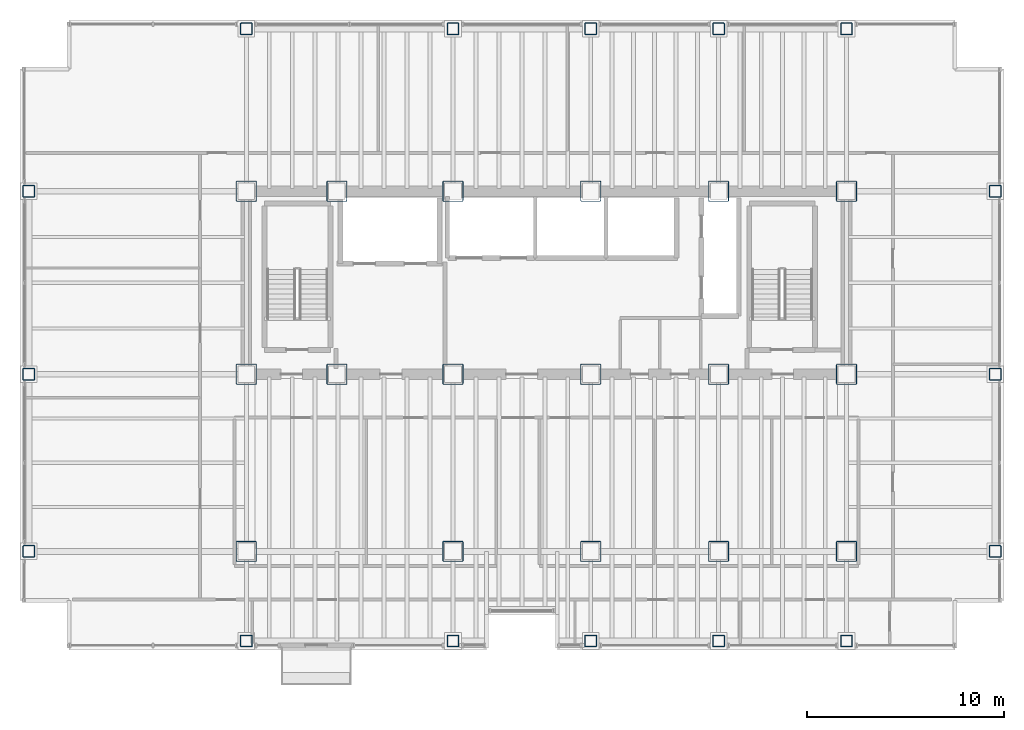
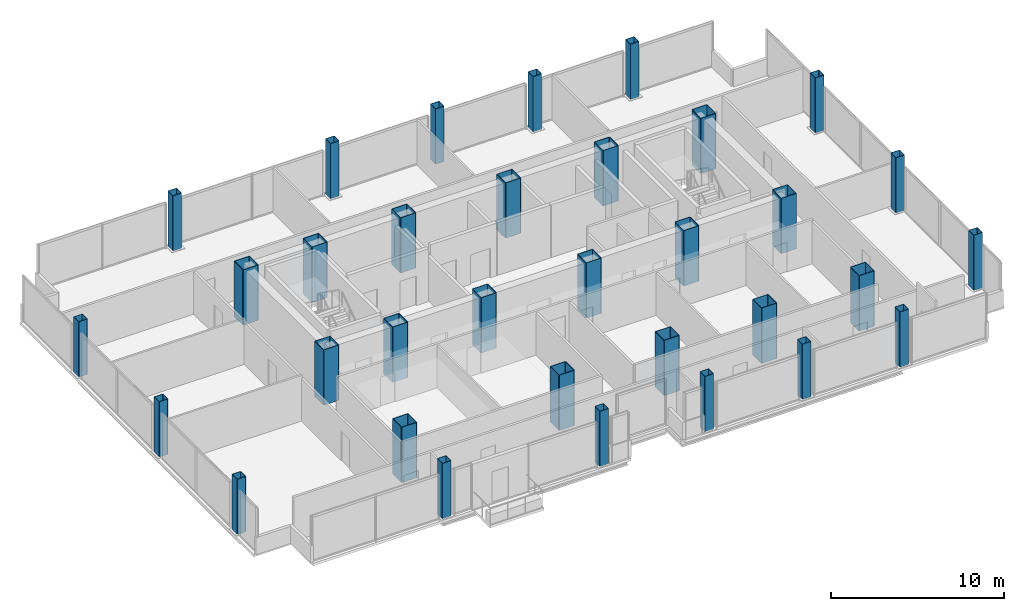
# One storey, part 1 of 21: 33 columns.
"""IFC4 building model written with IfcOpenShell, lengths in metres."""

from ifc_helpers import new_model, si_unit, direction, frame, origin, origin_2d, place, context, subcontext, project, spatial, hollow_rectangle, extrude, material, material_profile, profile_set, type_object, element, save


model = new_model("IFC4")

# Units and contexts
model_context = context("Model", 3, precision=1e-05, world=origin(), true_north=direction((0.0, 1.0)))
body_context = subcontext(model_context, "Body", "Model", "MODEL_VIEW")
ifc_project = project(units=[si_unit("LENGTHUNIT", "METRE"), si_unit("AREAUNIT", "SQUARE_METRE"), si_unit("VOLUMEUNIT", "CUBIC_METRE"), si_unit("PLANEANGLEUNIT", "RADIAN"), si_unit("MASSUNIT", "GRAM", prefix="KILO")], contexts=[model_context])

# Site, building, storey
site_placement = place(None, origin())
site = spatial("IfcSite", under=ifc_project, at=site_placement, CompositionType="ELEMENT")
building_placement = place(site_placement, origin())
building = spatial("IfcBuilding", under=site, at=building_placement, Name="Noeulbin Bourse Tower", CompositionType="ELEMENT")
storey_placement = place(building_placement, frame((0.0, 0.0, 34.300048828125)))
storey = spatial("IfcBuildingStorey", under=building, at=storey_placement, Name="L08", CompositionType="ELEMENT", Elevation=34.300048828125)

# Columns
ifc_material = material(Name="Steel S460", Category="steel")
ifc_material_profile_1 = material_profile(ifc_material, hollow_rectangle(XDim=0.60009765625, YDim=0.60009765625, WallThickness=0.02587890625, InnerFilletRadius=0.012939453125, OuterFilletRadius=0.0390625, at=origin_2d()), Name="BOX-600x600x26", Category="LoadBearing")
ifc_profile_set_1 = profile_set([ifc_material_profile_1], Name="Steel S460")
column_type_1 = type_object("IfcColumnType", Name="COL-PER-Z1", PredefinedType="COLUMN", material=ifc_profile_set_1)
for number, where, z_axis, x_axis, name in (
    (1, (2.449951171875, 20.0, 0.0), (0.0, 0.0, 1.0), (1.0, 0.0, 0.0), "Tower Perimeter Column COL-PER-Z1 01"),
    (2, (2.449951171875, 29.0, 0.0), (0.0, 0.0, 1.0), (1.0, 0.0, 0.0), "Tower Perimeter Column COL-PER-Z1 02"),
    (3, (2.449951171875, 38.300048828125, 0.0), (0.0, 0.0, 1.0), (1.0, 0.0, 0.0), "Tower Perimeter Column COL-PER-Z1 03"),
    (4, (13.5, 15.449951171875, 0.0), (0.0, 0.0, 1.0), (1.0, 0.0, 0.0), "Tower Perimeter Column COL-PER-Z1 04"),
    (5, (13.5, 46.550048828125, 0.0), (0.0, 0.0, 1.0), (1.0, 0.0, 0.0), "Tower Perimeter Column COL-PER-Z1 05"),
    (6, (24.0, 15.449951171875, 0.0), (0.0, 0.0, 1.0), (1.0, 0.0, 0.0), "Tower Perimeter Column COL-PER-Z1 06"),
    (7, (24.0, 46.550048828125, 0.0), (0.0, 0.0, 1.0), (1.0, 0.0, 0.0), "Tower Perimeter Column COL-PER-Z1 07"),
    (8, (31.0, 15.449951171875, 0.0), (0.0, 0.0, 1.0), (1.0, 0.0, 0.0), "Tower Perimeter Column COL-PER-Z1 08"),
    (9, (31.0, 46.550048828125, 0.0), (0.0, 0.0, 1.0), (1.0, 0.0, 0.0), "Tower Perimeter Column COL-PER-Z1 09"),
    (10, (37.5, 15.449951171875, 0.0), (0.0, 0.0, 1.0), (1.0, 0.0, 0.0), "Tower Perimeter Column COL-PER-Z1 10"),
    (11, (37.5, 46.550048828125, 0.0), (0.0, 0.0, 1.0), (1.0, 0.0, 0.0), "Tower Perimeter Column COL-PER-Z1 11"),
    (12, (44.0, 15.449951171875, 0.0), (0.0, 0.0, 1.0), (1.0, 0.0, 0.0), "Tower Perimeter Column COL-PER-Z1 12"),
    (13, (44.0, 46.550048828125, 0.0), (0.0, 0.0, 1.0), (1.0, 0.0, 0.0), "Tower Perimeter Column COL-PER-Z1 13"),
    (14, (51.550048828125, 20.0, 0.0), (0.0, 0.0, 1.0), (1.0, 0.0, 0.0), "Tower Perimeter Column COL-PER-Z1 14"),
    (15, (51.550048828125, 29.0, 0.0), (0.0, 0.0, 1.0), (1.0, 0.0, 0.0), "Tower Perimeter Column COL-PER-Z1 15"),
    (16, (51.550048828125, 38.300048828125, 0.0), (0.0, 0.0, 1.0), (1.0, 0.0, 0.0), "Tower Perimeter Column COL-PER-Z1 16"),
):
    element("IfcColumn", number, at=place(storey_placement, frame(where, z_axis=z_axis, x_axis=x_axis)), inside=storey, type_object=column_type_1, Name=name, PredefinedType="COLUMN", context=body_context, shape_type="SweptSolid", body=[
        extrude(hollow_rectangle(XDim=0.60009765625, YDim=0.60009765625, WallThickness=0.02587890625, InnerFilletRadius=0.012939453125, OuterFilletRadius=0.0390625, at=origin_2d()), origin(), (0.0, 0.0, 1.0), 3.89990234375),
    ])
ifc_material_profile_2 = material_profile(ifc_material, hollow_rectangle(XDim=1.050048828125, YDim=1.050048828125, WallThickness=0.0380859375, InnerFilletRadius=0.01904296875, OuterFilletRadius=0.056884765625, at=origin_2d()), Name="BOX-1050x1050x38", Category="LoadBearing")
ifc_profile_set_2 = profile_set([ifc_material_profile_2], Name="Steel S460")
column_type_2 = type_object("IfcColumnType", Name="COL-TRK-Z1", PredefinedType="COLUMN", material=ifc_profile_set_2)
for number, where, z_axis, x_axis, name in (
    (17, (13.5, 29.0, 0.0), (0.0, 0.0, 1.0), (1.0, 0.0, 0.0), "Tower Trunk Mega-Column COL-TRK-Z1 01"),
    (18, (13.5, 38.300048828125, 0.0), (0.0, 0.0, 1.0), (1.0, 0.0, 0.0), "Tower Trunk Mega-Column COL-TRK-Z1 02"),
    (19, (18.10009765625, 29.0, 0.0), (0.0, 0.0, 1.0), (1.0, 0.0, 0.0), "Tower Trunk Mega-Column COL-TRK-Z1 03"),
    (20, (18.10009765625, 38.300048828125, 0.0), (0.0, 0.0, 1.0), (1.0, 0.0, 0.0), "Tower Trunk Mega-Column COL-TRK-Z1 04"),
    (21, (24.0, 29.0, 0.0), (0.0, 0.0, 1.0), (1.0, 0.0, 0.0), "Tower Trunk Mega-Column COL-TRK-Z1 05"),
    (22, (24.0, 38.300048828125, 0.0), (0.0, 0.0, 1.0), (1.0, 0.0, 0.0), "Tower Trunk Mega-Column COL-TRK-Z1 06"),
    (23, (31.0, 29.0, 0.0), (0.0, 0.0, 1.0), (1.0, 0.0, 0.0), "Tower Trunk Mega-Column COL-TRK-Z1 07"),
    (24, (31.0, 38.300048828125, 0.0), (0.0, 0.0, 1.0), (1.0, 0.0, 0.0), "Tower Trunk Mega-Column COL-TRK-Z1 08"),
    (25, (37.5, 29.0, 0.0), (0.0, 0.0, 1.0), (1.0, 0.0, 0.0), "Tower Trunk Mega-Column COL-TRK-Z1 09"),
    (26, (37.5, 38.300048828125, 0.0), (0.0, 0.0, 1.0), (1.0, 0.0, 0.0), "Tower Trunk Mega-Column COL-TRK-Z1 10"),
    (27, (44.0, 29.0, 0.0), (0.0, 0.0, 1.0), (1.0, 0.0, 0.0), "Tower Trunk Mega-Column COL-TRK-Z1 11"),
    (28, (44.0, 38.300048828125, 0.0), (0.0, 0.0, 1.0), (1.0, 0.0, 0.0), "Tower Trunk Mega-Column COL-TRK-Z1 12"),
    (29, (13.5, 20.0, 0.0), (0.0, 0.0, 1.0), (1.0, 0.0, 0.0), "Tower Trunk Mega-Column COL-TRK-Z1 13"),
    (30, (24.0, 20.0, 0.0), (0.0, 0.0, 1.0), (1.0, 0.0, 0.0), "Tower Trunk Mega-Column COL-TRK-Z1 14"),
    (31, (31.0, 20.0, 0.0), (0.0, 0.0, 1.0), (1.0, 0.0, 0.0), "Tower Trunk Mega-Column COL-TRK-Z1 15"),
    (32, (37.5, 20.0, 0.0), (0.0, 0.0, 1.0), (1.0, 0.0, 0.0), "Tower Trunk Mega-Column COL-TRK-Z1 16"),
    (33, (44.0, 20.0, 0.0), (0.0, 0.0, 1.0), (1.0, 0.0, 0.0), "Tower Trunk Mega-Column COL-TRK-Z1 17"),
):
    element("IfcColumn", number, at=place(storey_placement, frame(where, z_axis=z_axis, x_axis=x_axis)), inside=storey, type_object=column_type_2, Name=name, PredefinedType="COLUMN", context=body_context, shape_type="SweptSolid", body=[
        extrude(hollow_rectangle(XDim=1.050048828125, YDim=1.050048828125, WallThickness=0.0380859375, InnerFilletRadius=0.01904296875, OuterFilletRadius=0.056884765625, at=origin_2d()), origin(), (0.0, 0.0, 1.0), 3.89990234375),
    ])

save(model, "model.ifc")
